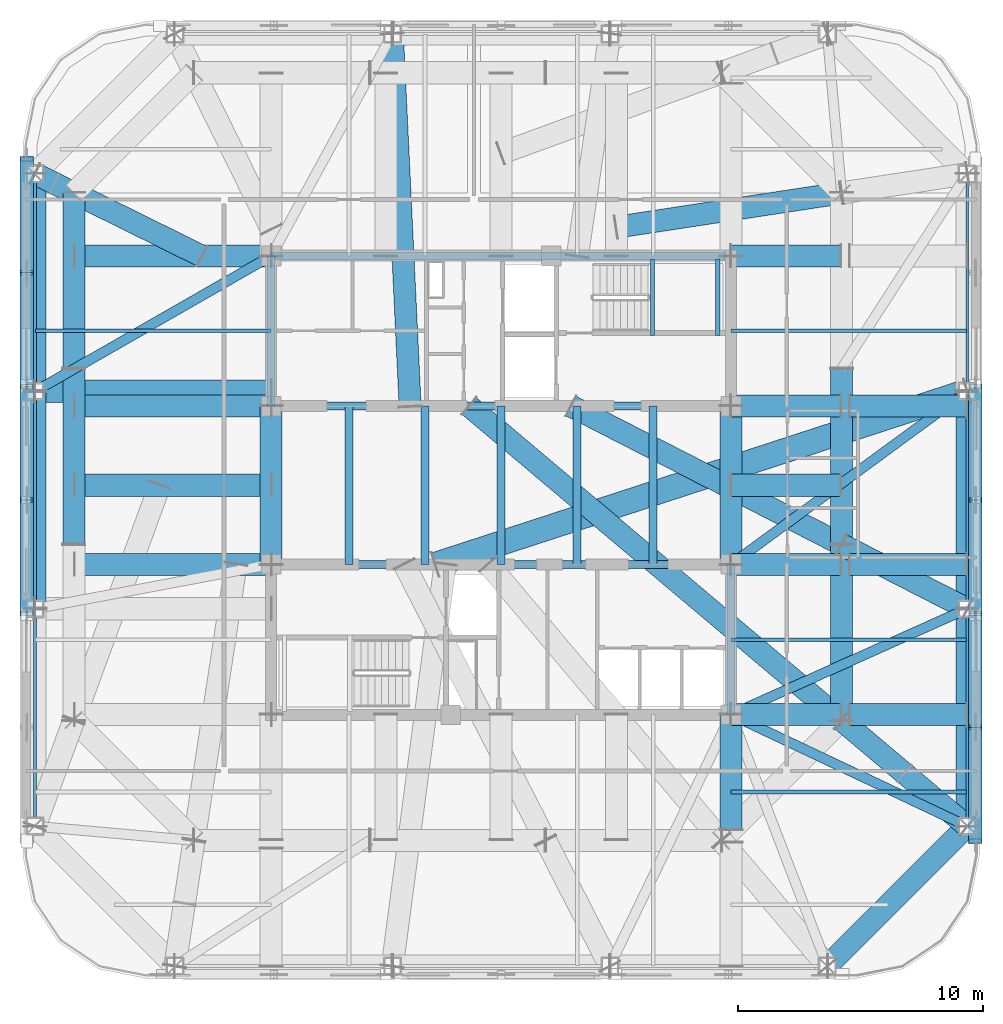
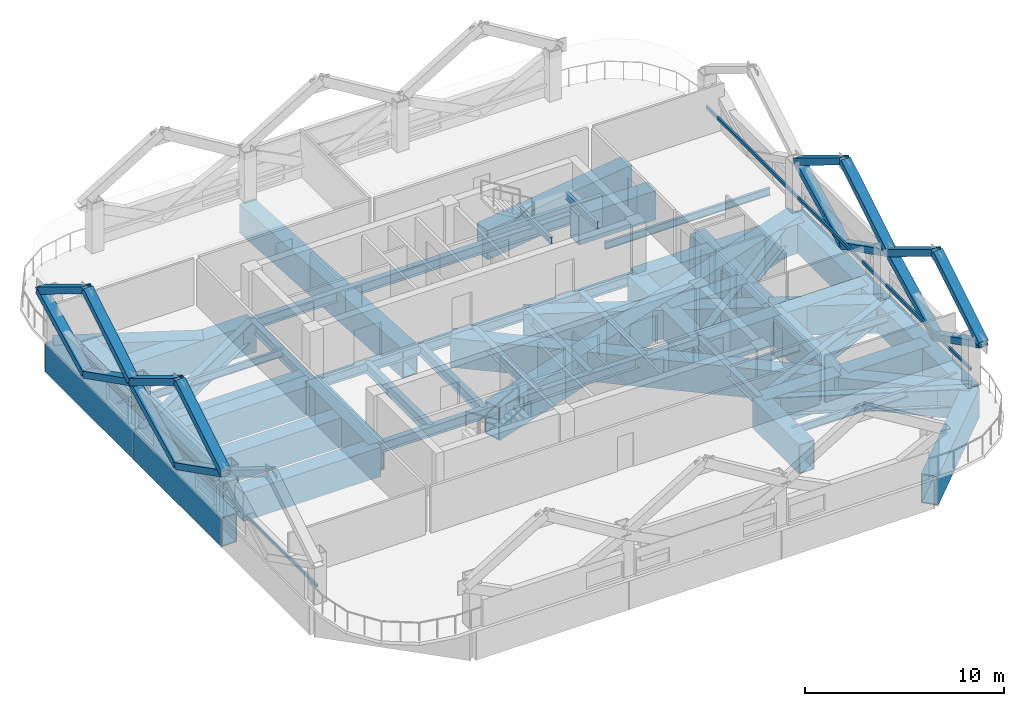
# One storey, part 2 of 11: 53 beams, 18 members.
"""IFC4 building model written with IfcOpenShell, lengths in metres."""

from ifc_helpers import new_model, si_unit, direction, frame, origin, origin_2d, place, context, subcontext, project, spatial, hollow_rectangle, i_section, extrude, material, material_profile, profile_set, type_object, element, save


model = new_model("IFC4")

# Units and contexts
model_context = context("Model", 3, precision=1e-05, world=origin(), true_north=direction((0.0, 1.0)))
body_context = subcontext(model_context, "Body", "Model", "MODEL_VIEW")
ifc_project = project(units=[si_unit("LENGTHUNIT", "METRE"), si_unit("AREAUNIT", "SQUARE_METRE"), si_unit("VOLUMEUNIT", "CUBIC_METRE"), si_unit("PLANEANGLEUNIT", "RADIAN"), si_unit("MASSUNIT", "GRAM", prefix="KILO")], contexts=[model_context])

# Site, building, storey
site_placement = place(None, origin())
site = spatial("IfcSite", under=ifc_project, at=site_placement, CompositionType="ELEMENT")
building_placement = place(site_placement, origin())
building = spatial("IfcBuilding", under=site, at=building_placement, Name="Qhalaya Broadcast Tower", CompositionType="ELEMENT")
storey_placement = place(building_placement, frame((0.0, 0.0, 199.5)))
storey = spatial("IfcBuildingStorey", under=building, at=storey_placement, Name="L58", CompositionType="ELEMENT", Elevation=199.5)

# Beams
ifc_material_1 = material(Name="Structural Steel ASTM A572 Grade 50", Category="steel")
ifc_material_profile_1 = material_profile(ifc_material_1, hollow_rectangle(XDim=0.89990234375, YDim=1.800048828125, WallThickness=0.06005859375, at=origin_2d()), Name="BOX 900x1800x60")
ifc_profile_set_1 = profile_set([ifc_material_profile_1], Name="Structural Steel ASTM A572 Grade 50")
beam_type_1 = type_object("IfcBeamType", Name="Block Cantilever Transfer Box Girder TG1", PredefinedType="USERDEFINED", material=ifc_profile_set_1)
beam_1_placement = place(storey_placement, frame((13.300048828125, -19.0, -1.090087890625), z_axis=(0.707106781187, 0.707106781187, 0.0), x_axis=(-0.707106781187, 0.707106781187, 0.0)))
element("IfcBeam", 1, at=beam_1_placement, inside=storey, type_object=beam_type_1, Name="L58 TG1 L58-SPR-04", ObjectType="GIRDER", PredefinedType="USERDEFINED", context=body_context, shape_type="SweptSolid", body=[
    extrude(hollow_rectangle(XDim=0.89990234375, YDim=1.800048828125, WallThickness=0.06005859375, at=origin_2d()), origin(), (0.0, 0.0, 1.0), 8.06103515625),
])
for number, where, z_axis, x_axis, name in (
    (2, (19.0, -13.300048828125, -1.090087890625), (0.0, 1.0, 0.0), (-1.0, 0.0, 0.0), "L58 TG1 L58-SPR-05"),
    (3, (19.0, -4.433349609375, -1.090087890625), (0.0, 1.0, 0.0), (-1.0, 0.0, 0.0), "L58 TG1 L58-SPR-06"),
    (4, (-19.0, 13.300048828125, -1.090087890625), (0.0, -1.0, 0.0), (1.0, 0.0, 0.0), "L58 TG1 L58-SPR-13"),
    (5, (-19.0, 4.433349609375, -1.090087890625), (0.0, -1.0, 0.0), (1.0, 0.0, 0.0), "L58 TG1 L58-SPR-14"),
):
    element("IfcBeam", number, at=place(storey_placement, frame(where, z_axis=z_axis, x_axis=x_axis)), inside=storey, type_object=beam_type_1, Name=name, ObjectType="GIRDER", PredefinedType="USERDEFINED", context=body_context, shape_type="SweptSolid", body=[
        extrude(hollow_rectangle(XDim=0.89990234375, YDim=1.800048828125, WallThickness=0.06005859375, at=origin_2d()), origin(), (0.0, 0.0, 1.0), 8.86669921875),
    ])
beam_2_placement = place(storey_placement, frame((13.8798828125, -8.97998046875, -1.090087890625), z_axis=(0.0, 1.0, 0.0), x_axis=(-1.0, 0.0, 0.0)))
element("IfcBeam", 6, at=beam_2_placement, inside=storey, type_object=beam_type_1, Name="L58 TG1 L58-TGL-05", ObjectType="GIRDER", PredefinedType="USERDEFINED", context=body_context, shape_type="SweptSolid", body=[
    extrude(hollow_rectangle(XDim=0.89990234375, YDim=1.800048828125, WallThickness=0.06005859375, at=origin_2d()), origin(), (0.0, 0.0, 1.0), 7.166748046875),
])
beam_3_placement = place(storey_placement, frame((13.8798828125, -1.813232421875, -1.090087890625), z_axis=(0.0, 1.0, 0.0), x_axis=(-1.0, 0.0, 0.0)))
element("IfcBeam", 7, at=beam_3_placement, inside=storey, type_object=beam_type_1, Name="L58 TG1 L58-TGL-06", ObjectType="GIRDER", PredefinedType="USERDEFINED", context=body_context, shape_type="SweptSolid", body=[
    extrude(hollow_rectangle(XDim=0.89990234375, YDim=1.800048828125, WallThickness=0.06005859375, at=origin_2d()), origin(), (0.0, 0.0, 1.0), 7.16650390625),
])
beam_4_placement = place(storey_placement, frame((-17.419921875, 12.52001953125, -1.090087890625), z_axis=(0.0, -1.0, 0.0), x_axis=(1.0, 0.0, 0.0)))
element("IfcBeam", 8, at=beam_4_placement, inside=storey, type_object=beam_type_1, Name="L58 TG1 L58-TGL-13", ObjectType="GIRDER", PredefinedType="USERDEFINED", context=body_context, shape_type="SweptSolid", body=[
    extrude(hollow_rectangle(XDim=0.89990234375, YDim=1.800048828125, WallThickness=0.06005859375, at=origin_2d()), origin(), (0.0, 0.0, 1.0), 7.166748046875),
])
beam_5_placement = place(storey_placement, frame((-17.419921875, 5.353271484375, -1.090087890625), z_axis=(0.0, -1.0, 0.0), x_axis=(1.0, 0.0, 0.0)))
element("IfcBeam", 9, at=beam_5_placement, inside=storey, type_object=beam_type_1, Name="L58 TG1 L58-TGL-14", ObjectType="GIRDER", PredefinedType="USERDEFINED", context=body_context, shape_type="SweptSolid", body=[
    extrude(hollow_rectangle(XDim=0.89990234375, YDim=1.800048828125, WallThickness=0.06005859375, at=origin_2d()), origin(), (0.0, 0.0, 1.0), 7.16650390625),
])
beam_6_placement = place(storey_placement, frame((-17.3798828125, 0.60009765625, -1.090087890625), z_axis=(1.0, 0.0, 0.0), x_axis=(0.0, 1.0, 0.0)))
element("IfcBeam", 10, at=beam_6_placement, inside=storey, type_object=beam_type_1, Name="L58 TG1 L58-TGIYW-1", ObjectType="GIRDER", PredefinedType="USERDEFINED", context=body_context, shape_type="SweptSolid", body=[
    extrude(hollow_rectangle(XDim=0.89990234375, YDim=1.800048828125, WallThickness=0.06005859375, at=origin_2d()), origin(), (0.0, 0.0, 1.0), 8.0048828125),
])
beam_7_placement = place(storey_placement, frame((9.375, 0.60009765625, -1.090087890625), z_axis=(1.0, 0.0, 0.0), x_axis=(0.0, 1.0, 0.0)))
element("IfcBeam", 11, at=beam_7_placement, inside=storey, type_object=beam_type_1, Name="L58 TG1 L58-TGIYE-1", ObjectType="GIRDER", PredefinedType="USERDEFINED", context=body_context, shape_type="SweptSolid", body=[
    extrude(hollow_rectangle(XDim=0.89990234375, YDim=1.800048828125, WallThickness=0.06005859375, at=origin_2d()), origin(), (0.0, 0.0, 1.0), 4.465087890625),
])
beam_8_placement = place(storey_placement, frame((9.375, -13.428466796875, -1.090087890625), z_axis=(0.0, 1.0, 0.0), x_axis=(-1.0, 0.0, 0.0)))
element("IfcBeam", 12, at=beam_8_placement, inside=storey, type_object=beam_type_1, Name="L58 TG1 L58-TGISE-1", ObjectType="GIRDER", PredefinedType="USERDEFINED", context=body_context, shape_type="SweptSolid", body=[
    extrude(hollow_rectangle(XDim=0.89990234375, YDim=1.800048828125, WallThickness=0.06005859375, at=origin_2d()), origin(), (0.0, 0.0, 1.0), 4.678466796875),
])
for number, where, z_axis, x_axis, name in (
    (13, (-9.375, -2.625, -1.090087890625), (0.0, 1.0, 0.0), (-1.0, 0.0, 0.0), "L58 TG1 L58-TGIMW-1"),
    (14, (9.375, -2.625, -1.090087890625), (0.0, 1.0, 0.0), (-1.0, 0.0, 0.0), "L58 TG1 L58-TGIME-1"),
):
    element("IfcBeam", number, at=place(storey_placement, frame(where, z_axis=z_axis, x_axis=x_axis)), inside=storey, type_object=beam_type_1, Name=name, ObjectType="GIRDER", PredefinedType="USERDEFINED", context=body_context, shape_type="SweptSolid", body=[
        extrude(hollow_rectangle(XDim=0.89990234375, YDim=1.800048828125, WallThickness=0.06005859375, at=origin_2d()), origin(), (0.0, 0.0, 1.0), 6.449951171875),
    ])
beam_9_placement = place(storey_placement, frame((9.375, -8.75, -1.090087890625), z_axis=(1.0, 0.0, 0.0), x_axis=(0.0, 1.0, 0.0)))
element("IfcBeam", 15, at=beam_9_placement, inside=storey, type_object=beam_type_1, Name="L58 TG1 L58-TGIY1E-1", ObjectType="GIRDER", PredefinedType="USERDEFINED", context=body_context, shape_type="SweptSolid", body=[
    extrude(hollow_rectangle(XDim=0.89990234375, YDim=1.800048828125, WallThickness=0.06005859375, at=origin_2d()), origin(), (0.0, 0.0, 1.0), 4.465087890625),
])
beam_10_placement = place(storey_placement, frame((-17.3798828125, -2.625, -1.090087890625), z_axis=(1.0, 0.0, 0.0), x_axis=(0.0, 1.0, 0.0)))
element("IfcBeam", 16, at=beam_10_placement, inside=storey, type_object=beam_type_1, Name="L58 TG1 L58-TGIY2W-1", ObjectType="GIRDER", PredefinedType="USERDEFINED", context=body_context, shape_type="SweptSolid", body=[
    extrude(hollow_rectangle(XDim=0.89990234375, YDim=1.800048828125, WallThickness=0.06005859375, at=origin_2d()), origin(), (0.0, 0.0, 1.0), 8.0048828125),
])
beam_11_placement = place(storey_placement, frame((9.375, -2.625, -1.090087890625), z_axis=(1.0, 0.0, 0.0), x_axis=(0.0, 1.0, 0.0)))
element("IfcBeam", 17, at=beam_11_placement, inside=storey, type_object=beam_type_1, Name="L58 TG1 L58-TGIY2E-1", ObjectType="GIRDER", PredefinedType="USERDEFINED", context=body_context, shape_type="SweptSolid", body=[
    extrude(hollow_rectangle(XDim=0.89990234375, YDim=1.800048828125, WallThickness=0.06005859375, at=origin_2d()), origin(), (0.0, 0.0, 1.0), 4.465087890625),
])
beam_12_placement = place(storey_placement, frame((-17.3798828125, 3.824951171875, -1.090087890625), z_axis=(1.0, 0.0, 0.0), x_axis=(0.0, 1.0, 0.0)))
element("IfcBeam", 18, at=beam_12_placement, inside=storey, type_object=beam_type_1, Name="L58 TG1 L58-TGIY3W-1", ObjectType="GIRDER", PredefinedType="USERDEFINED", context=body_context, shape_type="SweptSolid", body=[
    extrude(hollow_rectangle(XDim=0.89990234375, YDim=1.800048828125, WallThickness=0.06005859375, at=origin_2d()), origin(), (0.0, 0.0, 1.0), 8.0048828125),
])
beam_13_placement = place(storey_placement, frame((9.375, 3.824951171875, -1.090087890625), z_axis=(1.0, 0.0, 0.0), x_axis=(0.0, 1.0, 0.0)))
element("IfcBeam", 19, at=beam_13_placement, inside=storey, type_object=beam_type_1, Name="L58 TG1 L58-TGIY3E-1", ObjectType="GIRDER", PredefinedType="USERDEFINED", context=body_context, shape_type="SweptSolid", body=[
    extrude(hollow_rectangle(XDim=0.89990234375, YDim=1.800048828125, WallThickness=0.06005859375, at=origin_2d()), origin(), (0.0, 0.0, 1.0), 4.465087890625),
])
beam_14_placement = place(storey_placement, frame((-17.3798828125, 9.949951171875, -1.090087890625), z_axis=(1.0, 0.0, 0.0), x_axis=(0.0, 1.0, 0.0)))
element("IfcBeam", 20, at=beam_14_placement, inside=storey, type_object=beam_type_1, Name="L58 TG1 L58-TGIY4W-1", ObjectType="GIRDER", PredefinedType="USERDEFINED", context=body_context, shape_type="SweptSolid", body=[
    extrude(hollow_rectangle(XDim=0.89990234375, YDim=1.800048828125, WallThickness=0.06005859375, at=origin_2d()), origin(), (0.0, 0.0, 1.0), 8.0048828125),
])
beam_15_placement = place(storey_placement, frame((9.375, 9.949951171875, -1.090087890625), z_axis=(1.0, 0.0, 0.0), x_axis=(0.0, 1.0, 0.0)))
element("IfcBeam", 21, at=beam_15_placement, inside=storey, type_object=beam_type_1, Name="L58 TG1 L58-TGIY4E-1", ObjectType="GIRDER", PredefinedType="USERDEFINED", context=body_context, shape_type="SweptSolid", body=[
    extrude(hollow_rectangle(XDim=0.89990234375, YDim=1.800048828125, WallThickness=0.06005859375, at=origin_2d()), origin(), (0.0, 0.0, 1.0), 4.465087890625),
])
beam_16_placement = place(storey_placement, frame((-1.29638671875, 3.824951171875, -1.090087890625), z_axis=(0.764292619741, -0.644869592561, 0.0), x_axis=(0.644869592561, 0.764292619741, 0.0)))
element("IfcBeam", 22, at=beam_16_placement, inside=storey, type_object=beam_type_1, Name="L58 Collinear Back-Span Transfer Box Girder 05", ObjectType="GIRDER", PredefinedType="USERDEFINED", context=body_context, shape_type="SweptSolid", body=[
    extrude(hollow_rectangle(XDim=0.89990234375, YDim=1.800048828125, WallThickness=0.06005859375, at=origin_2d()), origin(), (0.0, 0.0, 1.0), 19.856689453125),
])
beam_17_placement = place(storey_placement, frame((13.8798828125, -8.97998046875, -1.090087890625), z_axis=(0.764293728741, -0.644868278184, 0.0), x_axis=(0.644868278184, 0.764293728741, 0.0)))
element("IfcBeam", 23, at=beam_17_placement, inside=storey, type_object=beam_type_1, Name="L58 Cantilever Transfer Box Girder 05", ObjectType="GIRDER", PredefinedType="USERDEFINED", context=body_context, shape_type="SweptSolid", body=[
    extrude(hollow_rectangle(XDim=0.89990234375, YDim=1.800048828125, WallThickness=0.06005859375, at=origin_2d()), origin(), (0.0, 0.0, 1.0), 6.69921875),
])
beam_18_placement = place(storey_placement, frame((2.861572265625, 3.824951171875, -1.090087890625), z_axis=(0.890218399939, -0.455533972839, 0.0), x_axis=(0.455533972839, 0.890218399939, 0.0)))
element("IfcBeam", 24, at=beam_18_placement, inside=storey, type_object=beam_type_1, Name="L58 Collinear Back-Span Transfer Box Girder 06", ObjectType="GIRDER", PredefinedType="USERDEFINED", context=body_context, shape_type="SweptSolid", body=[
    extrude(hollow_rectangle(XDim=0.89990234375, YDim=1.800048828125, WallThickness=0.06005859375, at=origin_2d()), origin(), (0.0, 0.0, 1.0), 12.377197265625),
])
beam_19_placement = place(storey_placement, frame((13.8798828125, -1.813232421875, -1.090087890625), z_axis=(0.890211334535, -0.455547780003, 0.0), x_axis=(0.455547780003, 0.890211334535, 0.0)))
element("IfcBeam", 25, at=beam_19_placement, inside=storey, type_object=beam_type_1, Name="L58 Cantilever Transfer Box Girder 06", ObjectType="GIRDER", PredefinedType="USERDEFINED", context=body_context, shape_type="SweptSolid", body=[
    extrude(hollow_rectangle(XDim=0.89990234375, YDim=1.800048828125, WallThickness=0.06005859375, at=origin_2d()), origin(), (0.0, 0.0, 1.0), 5.75146484375),
])
beam_20_placement = place(storey_placement, frame((4.699951171875, 11.12158203125, -1.090087890625), z_axis=(0.988594937666, 0.150598968191, 0.0), x_axis=(-0.150598968191, 0.988594937666, 0.0)))
element("IfcBeam", 26, at=beam_20_placement, inside=storey, type_object=beam_type_1, Name="L58 Collinear Back-Span Transfer Box Girder 08", ObjectType="GIRDER", PredefinedType="USERDEFINED", context=body_context, shape_type="SweptSolid", body=[
    extrude(hollow_rectangle(XDim=0.89990234375, YDim=1.800048828125, WallThickness=0.06005859375, at=origin_2d()), origin(), (0.0, 0.0, 1.0), 9.285888671875),
])
beam_21_placement = place(storey_placement, frame((-3.708984375, 3.824951171875, -1.090087890625), z_axis=(-0.047679675085, 0.998862677541, 0.0), x_axis=(-0.998862677541, -0.047679675085, 0.0)))
element("IfcBeam", 27, at=beam_21_placement, inside=storey, type_object=beam_type_1, Name="L58 Continuous Cantilever Transfer Box Girder 11", ObjectType="GIRDER", PredefinedType="USERDEFINED", context=body_context, shape_type="SweptSolid", body=[
    extrude(hollow_rectangle(XDim=0.89990234375, YDim=1.800048828125, WallThickness=0.06005859375, at=origin_2d()), origin(), (0.0, 0.0, 1.0), 15.1923828125),
])
beam_22_placement = place(storey_placement, frame((-12.214111328125, 9.949951171875, -1.090087890625), z_axis=(-0.896680409193, 0.442678488036, 0.0), x_axis=(-0.442678488036, -0.896680409193, 0.0)))
element("IfcBeam", 28, at=beam_22_placement, inside=storey, type_object=beam_type_1, Name="L58 Continuous Cantilever Transfer Box Girder 13", ObjectType="GIRDER", PredefinedType="USERDEFINED", context=body_context, shape_type="SweptSolid", body=[
    extrude(hollow_rectangle(XDim=0.89990234375, YDim=1.800048828125, WallThickness=0.06005859375, at=origin_2d()), origin(), (0.0, 0.0, 1.0), 7.56787109375),
])
beam_23_placement = place(storey_placement, frame((-9.375, 4.433349609375, -1.090087890625), z_axis=(-1.0, 0.0, 0.0), x_axis=(0.0, -1.0, 0.0)))
element("IfcBeam", 29, at=beam_23_placement, inside=storey, type_object=beam_type_1, Name="L58 Continuous Cantilever Transfer Box Girder 14", ObjectType="GIRDER", PredefinedType="USERDEFINED", context=body_context, shape_type="SweptSolid", body=[
    extrude(hollow_rectangle(XDim=0.89990234375, YDim=1.800048828125, WallThickness=0.06005859375, at=origin_2d()), origin(), (0.0, 0.0, 1.0), 9.625),
])
for number, where, z_axis, x_axis, name in (
    (30, (14.219970703125, -8.75, -1.090087890625), (1.0, 0.0, 0.0), (0.0, 1.0, 0.0), "L58 TG1 L58-PGYE1-OV1"),
    (31, (14.219970703125, -2.625, -1.090087890625), (1.0, 0.0, 0.0), (0.0, 1.0, 0.0), "L58 TG1 L58-PGYE2-OV1"),
    (32, (14.219970703125, 3.824951171875, -1.090087890625), (1.0, 0.0, 0.0), (0.0, 1.0, 0.0), "L58 TG1 L58-PGYE3-OV1"),
):
    element("IfcBeam", number, at=place(storey_placement, frame(where, z_axis=z_axis, x_axis=x_axis)), inside=storey, type_object=beam_type_1, Name=name, ObjectType="GIRDER", PredefinedType="USERDEFINED", context=body_context, shape_type="SweptSolid", body=[
        extrude(hollow_rectangle(XDim=0.89990234375, YDim=1.800048828125, WallThickness=0.06005859375, at=origin_2d()), origin(), (0.0, 0.0, 1.0), 4.760009765625),
    ])
ifc_material_2 = material(Name="Structural Steel ASTM A992 Grade 50", Category="steel")
ifc_material_profile_2 = material_profile(ifc_material_2, i_section(OverallWidth=0.154052734375, OverallDepth=0.458984375, WebThickness=0.009033203125, FlangeThickness=0.015380859375, at=origin_2d()), Name="W18X46")
ifc_profile_set_2 = profile_set([ifc_material_profile_2], Name="Structural Steel ASTM A992 Grade 50")
beam_type_2 = type_object("IfcBeamType", Name="Composite Floor Joist J04", PredefinedType="JOIST", material=ifc_profile_set_2)
for number, where, z_axis, x_axis, name in (
    (33, (9.375, -11.89990234375, -0.41943359375), (1.0, 0.0, 0.0), (0.0, 1.0, 0.0), "L58 J04 L58-JWE2E-1"),
    (34, (9.375, -5.699951171875, -0.41943359375), (1.0, 0.0, 0.0), (0.0, 1.0, 0.0), "L58 J04 L58-JWE3E-1"),
    (35, (-18.97998046875, 6.89990234375, -0.41943359375), (1.0, 0.0, 0.0), (0.0, 1.0, 0.0), "L58 J04 L58-JWE5W-1"),
    (36, (9.375, 6.89990234375, -0.41943359375), (1.0, 0.0, 0.0), (0.0, 1.0, 0.0), "L58 J04 L58-JWE5E-1"),
):
    element("IfcBeam", number, at=place(storey_placement, frame(where, z_axis=z_axis, x_axis=x_axis)), inside=storey, type_object=beam_type_2, Name=name, PredefinedType="JOIST", context=body_context, shape_type="SweptSolid", body=[
        extrude(i_section(OverallWidth=0.154052734375, OverallDepth=0.458984375, WebThickness=0.009033203125, FlangeThickness=0.015380859375, at=origin_2d()), origin(), (0.0, 0.0, 1.0), 9.60498046875),
    ])
ifc_material_profile_3 = material_profile(ifc_material_2, i_section(OverallWidth=0.323974609375, OverallDepth=0.612060546875, WebThickness=0.0126953125, FlangeThickness=0.01904296875, at=origin_2d()), Name="W24X104")
ifc_profile_set_3 = profile_set([ifc_material_profile_3], Name="Structural Steel ASTM A992 Grade 50")
beam_type_3 = type_object("IfcBeamType", Name="Core Frame Tie Beam B04", PredefinedType="BEAM", material=ifc_profile_set_3)
beam_24_placement = place(storey_placement, frame((-9.375, 3.824951171875, -0.49609375), z_axis=(1.0, 0.0, 0.0), x_axis=(0.0, 1.0, 0.0)))
element("IfcBeam", 37, at=beam_24_placement, inside=storey, type_object=beam_type_3, Name="L58 B04 L58-CCN1", PredefinedType="BEAM", context=body_context, shape_type="SweptSolid", body=[
    extrude(i_section(OverallWidth=0.323974609375, OverallDepth=0.612060546875, WebThickness=0.0126953125, FlangeThickness=0.01904296875, at=origin_2d()), origin(), (0.0, 0.0, 1.0), 18.75),
])
beam_25_placement = place(storey_placement, frame((-9.375, 3.824951171875, -0.49609375), z_axis=(0.0, 1.0, 0.0), x_axis=(-1.0, 0.0, 0.0)))
element("IfcBeam", 38, at=beam_25_placement, inside=storey, type_object=beam_type_3, Name="L58 B04 L58-CCN2", PredefinedType="BEAM", context=body_context, shape_type="SweptSolid", body=[
    extrude(i_section(OverallWidth=0.323974609375, OverallDepth=0.612060546875, WebThickness=0.0126953125, FlangeThickness=0.01904296875, at=origin_2d()), origin(), (0.0, 0.0, 1.0), 6.125),
])
beam_26_placement = place(storey_placement, frame((-9.375, 9.949951171875, -0.49609375), z_axis=(1.0, 0.0, 0.0), x_axis=(0.0, 1.0, 0.0)))
element("IfcBeam", 39, at=beam_26_placement, inside=storey, type_object=beam_type_3, Name="L58 B04 L58-CCN3", PredefinedType="BEAM", context=body_context, shape_type="SweptSolid", body=[
    extrude(i_section(OverallWidth=0.323974609375, OverallDepth=0.612060546875, WebThickness=0.0126953125, FlangeThickness=0.01904296875, at=origin_2d()), origin(), (0.0, 0.0, 1.0), 18.4951171875),
])
beam_27_placement = place(storey_placement, frame((-9.375, -2.625, -0.49609375), z_axis=(1.0, 0.0, 0.0), x_axis=(0.0, 1.0, 0.0)))
element("IfcBeam", 40, at=beam_27_placement, inside=storey, type_object=beam_type_3, Name="L58 B04 L58-CCS1", PredefinedType="BEAM", context=body_context, shape_type="SweptSolid", body=[
    extrude(i_section(OverallWidth=0.323974609375, OverallDepth=0.612060546875, WebThickness=0.0126953125, FlangeThickness=0.01904296875, at=origin_2d()), origin(), (0.0, 0.0, 1.0), 18.75),
])
beam_28_placement = place(storey_placement, frame((9.375, -8.75, -0.49609375), z_axis=(0.0, 1.0, 0.0), x_axis=(-1.0, 0.0, 0.0)))
element("IfcBeam", 41, at=beam_28_placement, inside=storey, type_object=beam_type_3, Name="L58 B04 L58-CCS2", PredefinedType="BEAM", context=body_context, shape_type="SweptSolid", body=[
    extrude(i_section(OverallWidth=0.323974609375, OverallDepth=0.612060546875, WebThickness=0.0126953125, FlangeThickness=0.01904296875, at=origin_2d()), origin(), (0.0, 0.0, 1.0), 6.125),
])
for number, where, z_axis, x_axis, name in (
    (42, (-6.199951171875, -2.625, -0.49609375), (0.0, 1.0, 0.0), (-1.0, 0.0, 0.0), "L58 B04 L58-JC1-1"),
    (43, (-3.10009765625, -2.625, -0.49609375), (0.0, 1.0, 0.0), (-1.0, 0.0, 0.0), "L58 B04 L58-JC2-1"),
    (44, (0.0, -2.625, -0.49609375), (0.0, 1.0, 0.0), (-1.0, 0.0, 0.0), "L58 B04 L58-JC3-1"),
    (45, (3.10009765625, -2.625, -0.49609375), (0.0, 1.0, 0.0), (-1.0, 0.0, 0.0), "L58 B04 L58-JC4-1"),
    (46, (6.199951171875, -2.625, -0.49609375), (0.0, 1.0, 0.0), (-1.0, 0.0, 0.0), "L58 B04 L58-JC5-1"),
):
    element("IfcBeam", number, at=place(storey_placement, frame(where, z_axis=z_axis, x_axis=x_axis)), inside=storey, type_object=beam_type_3, Name=name, PredefinedType="BEAM", context=body_context, shape_type="SweptSolid", body=[
        extrude(i_section(OverallWidth=0.323974609375, OverallDepth=0.612060546875, WebThickness=0.0126953125, FlangeThickness=0.01904296875, at=origin_2d()), origin(), (0.0, 0.0, 1.0), 6.449951171875),
    ])

# Members
ifc_material_profile_4 = material_profile(ifc_material_1, hollow_rectangle(XDim=0.3798828125, YDim=0.550048828125, WallThickness=0.02490234375, at=origin_2d()), Name="BOX 380x550x25")
ifc_profile_set_4 = profile_set([ifc_material_profile_4], Name="Structural Steel ASTM A572 Grade 50")
member_type_1 = type_object("IfcMemberType", Name="Exoskeleton Diamond Diagonal Upper EX4", PredefinedType="BRACE", material=ifc_profile_set_4)
for number, where, z_axis, x_axis, name in (
    (47, (19.340087890625, -9.2666015625, 0.360107421875), (0.0, -0.892235092116, 0.451571190841), (0.0, 0.451571190841, 0.892235092116), "B5 Exoskeleton Diamond Brace E1-D1"),
    (48, (19.340087890625, -9.2666015625, 0.360107421875), (0.0, 0.892235092116, 0.451571190841), (0.0, -0.451571190841, 0.892235092116), "B5 Exoskeleton Diamond Brace E1-D2"),
):
    element("IfcMember", number, at=place(storey_placement, frame(where, z_axis=z_axis, x_axis=x_axis)), inside=storey, type_object=member_type_1, Name=name, PredefinedType="BRACE", context=body_context, shape_type="SweptSolid", body=[
        extrude(hollow_rectangle(XDim=0.3798828125, YDim=0.550048828125, WallThickness=0.02490234375, at=origin_2d()), origin(), (0.0, 0.0, 1.0), 5.19287109375),
    ])
for number, where, z_axis, x_axis, name in (
    (49, (19.340087890625, -13.89990234375, 2.705078125), (0.0, 0.853815197337, 0.520576227652), (0.0, -0.520576227652, 0.853815197337), "B5 Exoskeleton Diamond Brace E1-D3"),
    (50, (19.340087890625, -4.63330078125, 2.705078125), (0.0, -0.853815197337, 0.520576227652), (0.0, 0.520576227652, 0.853815197337), "B5 Exoskeleton Diamond Brace E1-D4"),
):
    element("IfcMember", number, at=place(storey_placement, frame(where, z_axis=z_axis, x_axis=x_axis)), inside=storey, type_object=member_type_1, Name=name, PredefinedType="BRACE", context=body_context, shape_type="SweptSolid", body=[
        extrude(hollow_rectangle(XDim=0.3798828125, YDim=0.550048828125, WallThickness=0.02490234375, at=origin_2d()), origin(), (0.0, 0.0, 1.0), 5.426513671875),
    ])
for number, where, z_axis, x_axis, name in (
    (51, (19.340087890625, 0.0, 0.360107421875), (0.0, -0.892235092116, 0.451571190841), (0.0, 0.451571190841, 0.892235092116), "B5 Exoskeleton Diamond Brace E2-D1"),
    (52, (19.340087890625, 0.0, 0.360107421875), (0.0, 0.892235092116, 0.451571190841), (0.0, -0.451571190841, 0.892235092116), "B5 Exoskeleton Diamond Brace E2-D2"),
):
    element("IfcMember", number, at=place(storey_placement, frame(where, z_axis=z_axis, x_axis=x_axis)), inside=storey, type_object=member_type_1, Name=name, PredefinedType="BRACE", context=body_context, shape_type="SweptSolid", body=[
        extrude(hollow_rectangle(XDim=0.3798828125, YDim=0.550048828125, WallThickness=0.02490234375, at=origin_2d()), origin(), (0.0, 0.0, 1.0), 5.19287109375),
    ])
for number, where, z_axis, x_axis, name in (
    (53, (19.340087890625, -4.63330078125, 2.705078125), (0.0, 0.853815197337, 0.520576227652), (0.0, -0.520576227652, 0.853815197337), "B5 Exoskeleton Diamond Brace E2-D3"),
    (54, (19.340087890625, 4.63330078125, 2.705078125), (0.0, -0.853815197337, 0.520576227652), (0.0, 0.520576227652, 0.853815197337), "B5 Exoskeleton Diamond Brace E2-D4"),
):
    element("IfcMember", number, at=place(storey_placement, frame(where, z_axis=z_axis, x_axis=x_axis)), inside=storey, type_object=member_type_1, Name=name, PredefinedType="BRACE", context=body_context, shape_type="SweptSolid", body=[
        extrude(hollow_rectangle(XDim=0.3798828125, YDim=0.550048828125, WallThickness=0.02490234375, at=origin_2d()), origin(), (0.0, 0.0, 1.0), 5.426513671875),
    ])
for number, where, z_axis, x_axis, name in (
    (55, (-19.340087890625, 9.2666015625, 0.360107421875), (0.0, 0.892235092116, 0.451571190841), (0.0, -0.451571190841, 0.892235092116), "B5 Exoskeleton Diamond Brace W1-D1"),
    (56, (-19.340087890625, 9.2666015625, 0.360107421875), (0.0, -0.892235092116, 0.451571190841), (0.0, 0.451571190841, 0.892235092116), "B5 Exoskeleton Diamond Brace W1-D2"),
):
    element("IfcMember", number, at=place(storey_placement, frame(where, z_axis=z_axis, x_axis=x_axis)), inside=storey, type_object=member_type_1, Name=name, PredefinedType="BRACE", context=body_context, shape_type="SweptSolid", body=[
        extrude(hollow_rectangle(XDim=0.3798828125, YDim=0.550048828125, WallThickness=0.02490234375, at=origin_2d()), origin(), (0.0, 0.0, 1.0), 5.19287109375),
    ])
for number, where, z_axis, x_axis, name in (
    (57, (-19.340087890625, 13.89990234375, 2.705078125), (0.0, -0.853815197337, 0.520576227652), (0.0, 0.520576227652, 0.853815197337), "B5 Exoskeleton Diamond Brace W1-D3"),
    (58, (-19.340087890625, 4.63330078125, 2.705078125), (0.0, 0.853815197337, 0.520576227652), (0.0, -0.520576227652, 0.853815197337), "B5 Exoskeleton Diamond Brace W1-D4"),
):
    element("IfcMember", number, at=place(storey_placement, frame(where, z_axis=z_axis, x_axis=x_axis)), inside=storey, type_object=member_type_1, Name=name, PredefinedType="BRACE", context=body_context, shape_type="SweptSolid", body=[
        extrude(hollow_rectangle(XDim=0.3798828125, YDim=0.550048828125, WallThickness=0.02490234375, at=origin_2d()), origin(), (0.0, 0.0, 1.0), 5.426513671875),
    ])
for number, where, z_axis, x_axis, name in (
    (59, (-19.340087890625, 0.0, 0.360107421875), (0.0, 0.892235092116, 0.451571190841), (0.0, -0.451571190841, 0.892235092116), "B5 Exoskeleton Diamond Brace W2-D1"),
    (60, (-19.340087890625, 0.0, 0.360107421875), (0.0, -0.892235092116, 0.451571190841), (0.0, 0.451571190841, 0.892235092116), "B5 Exoskeleton Diamond Brace W2-D2"),
):
    element("IfcMember", number, at=place(storey_placement, frame(where, z_axis=z_axis, x_axis=x_axis)), inside=storey, type_object=member_type_1, Name=name, PredefinedType="BRACE", context=body_context, shape_type="SweptSolid", body=[
        extrude(hollow_rectangle(XDim=0.3798828125, YDim=0.550048828125, WallThickness=0.02490234375, at=origin_2d()), origin(), (0.0, 0.0, 1.0), 5.19287109375),
    ])
for number, where, z_axis, x_axis, name in (
    (61, (-19.340087890625, 4.63330078125, 2.705078125), (0.0, -0.853815197337, 0.520576227652), (0.0, 0.520576227652, 0.853815197337), "B5 Exoskeleton Diamond Brace W2-D3"),
    (62, (-19.340087890625, -4.63330078125, 2.705078125), (0.0, 0.853815197337, 0.520576227652), (0.0, -0.520576227652, 0.853815197337), "B5 Exoskeleton Diamond Brace W2-D4"),
):
    element("IfcMember", number, at=place(storey_placement, frame(where, z_axis=z_axis, x_axis=x_axis)), inside=storey, type_object=member_type_1, Name=name, PredefinedType="BRACE", context=body_context, shape_type="SweptSolid", body=[
        extrude(hollow_rectangle(XDim=0.3798828125, YDim=0.550048828125, WallThickness=0.02490234375, at=origin_2d()), origin(), (0.0, 0.0, 1.0), 5.426513671875),
    ])
ifc_material_3 = material(Name="Fired Architectural Terracotta", Category="masonry")
ifc_material_profile_5 = material_profile(ifc_material_3, hollow_rectangle(XDim=0.110107421875, YDim=0.179931640625, WallThickness=0.01806640625, at=origin_2d()), Name="TB-BAG 110x180x18")
ifc_profile_set_5 = profile_set([ifc_material_profile_5], Name="Fired Architectural Terracotta")
member_type_2 = type_object("IfcMemberType", Name="Fired Terracotta Facade Baguette Member TB1", PredefinedType="USERDEFINED", material=ifc_profile_set_5)
for number, where, z_axis, x_axis, name in (
    (63, (19.0, -13.300048828125, 0.85791015625), (0.0, 1.0, 0.0), (-1.0, 0.0, 0.0), "L58 Terracotta Baguette Feature Rail E"),
    (64, (-19.0, 13.300048828125, 0.85791015625), (0.0, -1.0, 0.0), (1.0, 0.0, 0.0), "L58 Terracotta Baguette Feature Rail W"),
):
    element("IfcMember", number, at=place(storey_placement, frame(where, z_axis=z_axis, x_axis=x_axis)), inside=storey, type_object=member_type_2, Name=name, ObjectType="BAGUETTE", PredefinedType="USERDEFINED", context=body_context, shape_type="SweptSolid", body=[
        extrude(hollow_rectangle(XDim=0.110107421875, YDim=0.179931640625, WallThickness=0.01806640625, at=origin_2d()), origin(), (0.0, 0.0, 1.0), 26.60009765625),
    ])

# Beams
ifc_material_profile_6 = material_profile(ifc_material_2, i_section(OverallWidth=0.404052734375, OverallDepth=1.117919921875, WebThickness=0.026123046875, FlangeThickness=0.044921875, at=origin_2d()), Name="W44X335")
ifc_profile_set_6 = profile_set([ifc_material_profile_6], Name="Structural Steel ASTM A992 Grade 50")
beam_type_4 = type_object("IfcBeamType", Name="Podium Long-Span Primary Girder PG1", PredefinedType="USERDEFINED", material=ifc_profile_set_6)
beam_29_placement = place(storey_placement, frame((9.375, -8.75, -0.7490234375), z_axis=(0.904070494396, -0.427383365566, 0.0), x_axis=(0.427383365566, 0.904070494396, 0.0)))
element("IfcBeam", 65, at=beam_29_placement, inside=storey, type_object=beam_type_4, Name="L58 Column-to-Column Moment Tie Girder 05-1", ObjectType="GIRDER", PredefinedType="USERDEFINED", context=body_context, shape_type="SweptSolid", body=[
    extrude(i_section(OverallWidth=0.404052734375, OverallDepth=1.117919921875, WebThickness=0.026123046875, FlangeThickness=0.044921875, at=origin_2d()), origin(), (0.0, 0.0, 1.0), 10.646240234375),
])
beam_30_placement = place(storey_placement, frame((9.375, -8.75, -0.7490234375), z_axis=(0.912438709519, 0.409213393441, 0.0), x_axis=(-0.409213393441, 0.912438709519, 0.0)))
element("IfcBeam", 66, at=beam_30_placement, inside=storey, type_object=beam_type_4, Name="L58 Column-to-Column Moment Tie Girder 06-2", ObjectType="GIRDER", PredefinedType="USERDEFINED", context=body_context, shape_type="SweptSolid", body=[
    extrude(i_section(OverallWidth=0.404052734375, OverallDepth=1.117919921875, WebThickness=0.026123046875, FlangeThickness=0.044921875, at=origin_2d()), origin(), (0.0, 0.0, 1.0), 10.548583984375),
])
beam_31_placement = place(storey_placement, frame((9.375, -2.625, -0.7490234375), z_axis=(0.806404345563, 0.59136455039, 0.0), x_axis=(-0.59136455039, 0.806404345563, 0.0)))
element("IfcBeam", 67, at=beam_31_placement, inside=storey, type_object=beam_type_4, Name="L58 Column-to-Column Moment Tie Girder 07-2", ObjectType="GIRDER", PredefinedType="USERDEFINED", context=body_context, shape_type="SweptSolid", body=[
    extrude(i_section(OverallWidth=0.404052734375, OverallDepth=1.117919921875, WebThickness=0.026123046875, FlangeThickness=0.044921875, at=origin_2d()), origin(), (0.0, 0.0, 1.0), 11.935791015625),
])
beam_32_placement = place(storey_placement, frame((-9.375, 9.949951171875, -0.7490234375), z_axis=(-0.867597778037, -0.497266624202, 0.0), x_axis=(0.497266624202, -0.867597778037, 0.0)))
element("IfcBeam", 68, at=beam_32_placement, inside=storey, type_object=beam_type_4, Name="L58 Column-to-Column Moment Tie Girder 14-2", ObjectType="GIRDER", PredefinedType="USERDEFINED", context=body_context, shape_type="SweptSolid", body=[
    extrude(i_section(OverallWidth=0.404052734375, OverallDepth=1.117919921875, WebThickness=0.026123046875, FlangeThickness=0.044921875, at=origin_2d()), origin(), (0.0, 0.0, 1.0), 11.09375),
])
ifc_material_profile_7 = material_profile(ifc_material_1, hollow_rectangle(XDim=1.0, YDim=2.0, WallThickness=0.06494140625, at=origin_2d()), Name="BOX 1000x2000x65")
ifc_profile_set_7 = profile_set([ifc_material_profile_7], Name="Structural Steel ASTM A572 Grade 50")
beam_type_5 = type_object("IfcBeamType", Name="Podium Soundstage Transfer Box Girder TG0", PredefinedType="USERDEFINED", material=ifc_profile_set_7)
beam_33_placement = place(storey_placement, frame((-2.6669921875, -2.625, -1.18994140625), z_axis=(0.950820003061, 0.30974396165, 0.0), x_axis=(-0.30974396165, 0.950820003061, 0.0)))
element("IfcBeam", 69, at=beam_33_placement, inside=storey, type_object=beam_type_5, Name="L58 Continuous Cantilever Transfer Box Girder 07", ObjectType="GIRDER", PredefinedType="USERDEFINED", context=body_context, shape_type="SweptSolid", body=[
    extrude(hollow_rectangle(XDim=1.0, YDim=2.0, WallThickness=0.06494140625, at=origin_2d()), origin(), (0.0, 0.0, 1.0), 22.78759765625),
])
ifc_material_profile_8 = material_profile(ifc_material_2, i_section(OverallWidth=0.177978515625, OverallDepth=0.406005859375, WebThickness=0.0078125, FlangeThickness=0.0126953125, at=origin_2d()), Name="W16X40")
ifc_profile_set_8 = profile_set([ifc_material_profile_8], Name="Structural Steel ASTM A992 Grade 50")
beam_type_6 = type_object("IfcBeamType", Name="Upper Perimeter Spandrel Beam SP2", PredefinedType="SPANDREL", material=ifc_profile_set_8)
for number, where, z_axis, x_axis, name in (
    (70, (6.175048828125, 6.699951171875, 1.1220703125), (0.0, 1.0, 0.0), (-1.0, 0.0, 0.0), "L58 ST-1 Half-Landing Bearer Beam 1"),
    (71, (8.830078125, 6.699951171875, 1.1220703125), (0.0, 1.0, 0.0), (-1.0, 0.0, 0.0), "L58 ST-1 Half-Landing Bearer Beam 2"),
):
    element("IfcBeam", number, at=place(storey_placement, frame(where, z_axis=z_axis, x_axis=x_axis)), inside=storey, type_object=beam_type_6, Name=name, PredefinedType="SPANDREL", context=body_context, shape_type="SweptSolid", body=[
        extrude(i_section(OverallWidth=0.177978515625, OverallDepth=0.406005859375, WebThickness=0.0078125, FlangeThickness=0.0126953125, at=origin_2d()), origin(), (0.0, 0.0, 1.0), 3.1201171875),
    ])

save(model, "model.ifc")
